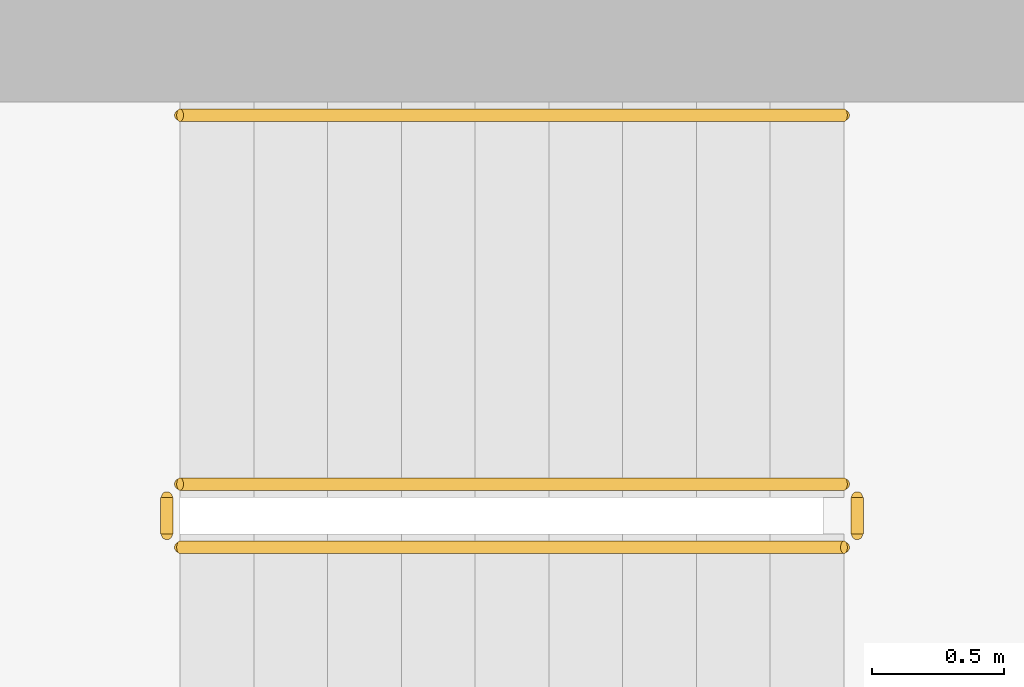
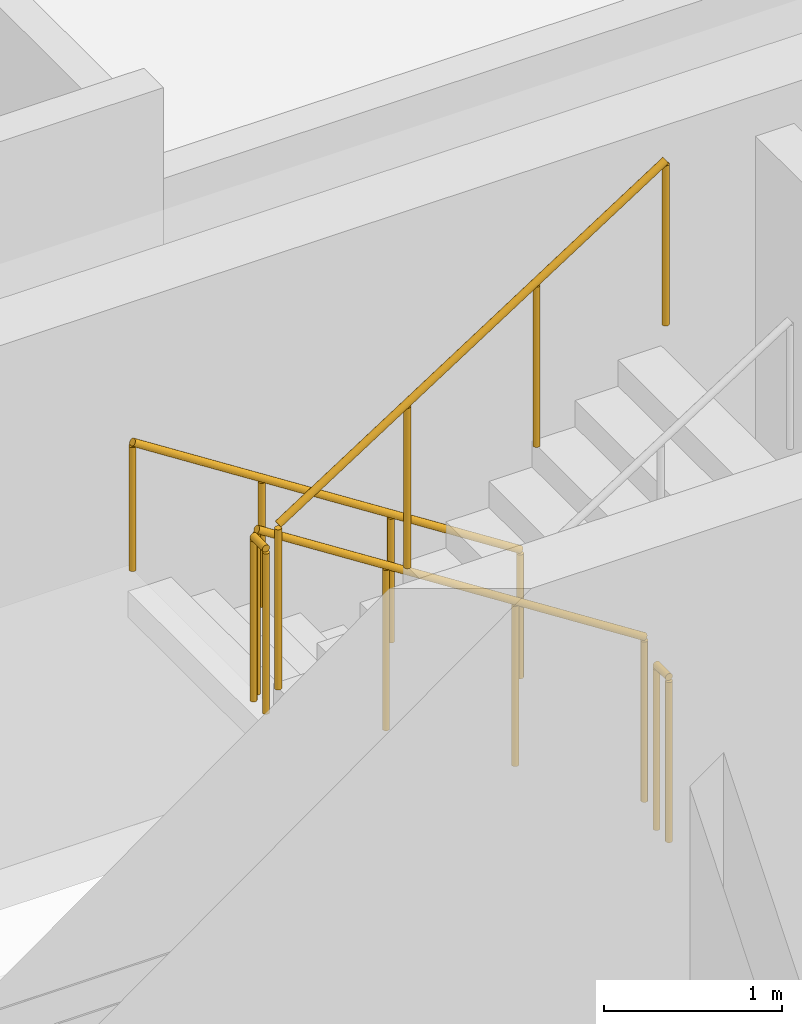
# One storey, part 13 of 14: 5 railings.
"""IFC4 building model written with IfcOpenShell, lengths in metres."""

from ifc_helpers import new_model, si_unit, derived_unit, direction, frame, origin, origin_2d, place, context, subcontext, project, spatial, circle, extrude, material, type_object, element, save


model = new_model("IFC4")

# Units and contexts
model_context = context("Model", 3, precision=1e-05, world=origin(), true_north=direction((0.0, 1.0)))
body_context = subcontext(model_context, "Body", "Model", "MODEL_VIEW")
ifc_project = project(units=[si_unit("LENGTHUNIT", "METRE"), si_unit("AREAUNIT", "SQUARE_METRE"), si_unit("VOLUMEUNIT", "CUBIC_METRE"), si_unit("PLANEANGLEUNIT", "RADIAN"), si_unit("MASSUNIT", "GRAM", prefix="KILO"), derived_unit("THERMALTRANSMITTANCEUNIT", [(si_unit("POWERUNIT", "WATT"), 1), (si_unit("LENGTHUNIT", "METRE"), -2), (si_unit("THERMODYNAMICTEMPERATUREUNIT", "KELVIN"), -1)])], contexts=[model_context])

# Site, building, storey
site_placement = place(None, origin())
site = spatial("IfcSite", under=ifc_project, at=site_placement, CompositionType="ELEMENT")
building_placement = place(site_placement, origin())
building = spatial("IfcBuilding", under=site, at=building_placement, Name="Kivonza Crest Hotel", CompositionType="ELEMENT")
storey_placement = place(building_placement, frame((0.0, 0.0, 206.300048828125)))
storey = spatial("IfcBuildingStorey", under=building, at=storey_placement, Name="L56", CompositionType="ELEMENT", Elevation=206.300048828125)

# Railings
ifc_material_1 = material(Name="Brushed stainless steel handrail", Category="steel")
railing_type_1 = type_object("IfcRailingType", Name="RL-HAND-900", PredefinedType="HANDRAIL", material=ifc_material_1)
railing_1_placement = place(storey_placement, frame((12.239990234375, 36.110107421875, 0.179931640625)))
element("IfcRailing", 1, at=railing_1_placement, inside=storey, type_object=railing_type_1, Name="L56 ST-T1-N stair handrail 1", PredefinedType="HANDRAIL", context=body_context, shape_type="SweptSolid", body=[
    extrude(circle(Radius=0.02392578125, at=origin_2d()), frame((0.0, 0.0, 0.8759765625), z_axis=(-0.841162588446, 0.0, 0.540782303519), x_axis=(0.0, -1.0, 0.0)), (0.0, 0.0, 1.0), 2.995849609375),
    extrude(circle(Radius=0.02099609375, at=origin_2d()), origin(), (0.0, 0.0, 1.0), 0.851806640625),
    extrude(circle(Radius=0.02099609375, at=origin_2d()), frame((-0.840087890625, 0.0, 0.5400390625)), (0.0, 0.0, 1.0), 0.851806640625),
    extrude(circle(Radius=0.02099609375, at=origin_2d()), frame((-1.679931640625, 0.0, 1.080078125)), (0.0, 0.0, 1.0), 0.851806640625),
    extrude(circle(Radius=0.02099609375, at=origin_2d()), frame((-2.52001953125, 0.0, 1.6201171875)), (0.0, 0.0, 1.0), 0.851806640625),
])
ifc_material_2 = material(Name="Painted steel balustrade", Category="steel")
railing_type_2 = type_object("IfcRailingType", Name="RL-STAIR-1150", PredefinedType="BALUSTRADE", material=ifc_material_2)
railing_2_placement = place(storey_placement, frame((12.239990234375, 34.7099609375, 0.179931640625)))
element("IfcRailing", 2, at=railing_2_placement, inside=storey, type_object=railing_type_2, Name="L56 ST-T1-N stair guard 1", PredefinedType="BALUSTRADE", context=body_context, shape_type="SweptSolid", body=[
    extrude(circle(Radius=0.02392578125, at=origin_2d()), frame((0.0, 0.0, 1.1259765625), z_axis=(-0.841162588446, 0.0, 0.540782303519), x_axis=(0.0, -1.0, 0.0)), (0.0, 0.0, 1.0), 2.995849609375),
    extrude(circle(Radius=0.02099609375, at=origin_2d()), origin(), (0.0, 0.0, 1.0), 1.101806640625),
    extrude(circle(Radius=0.02099609375, at=origin_2d()), frame((-0.840087890625, 0.0, 0.5400390625)), (0.0, 0.0, 1.0), 1.101806640625),
    extrude(circle(Radius=0.02099609375, at=origin_2d()), frame((-1.679931640625, 0.0, 1.080078125)), (0.0, 0.0, 1.0), 1.101806640625),
    extrude(circle(Radius=0.02099609375, at=origin_2d()), frame((-2.52001953125, 0.0, 1.6201171875)), (0.0, 0.0, 1.0), 1.101806640625),
])
railing_3_placement = place(storey_placement, frame((9.669921875, 34.659912109375, 1.800048828125)))
element("IfcRailing", 3, at=railing_3_placement, inside=storey, type_object=railing_type_2, Name="L56 ST-T1-N stair guard 2", PredefinedType="BALUSTRADE", context=body_context, shape_type="SweptSolid", body=[
    extrude(circle(Radius=0.02392578125, at=origin_2d()), frame((0.0, 0.0, 1.1259765625), z_axis=(0.0, -1.0, 0.0), x_axis=(1.0, 0.0, 0.0)), (0.0, 0.0, 1.0), 0.139892578125),
    extrude(circle(Radius=0.02099609375, at=origin_2d()), origin(), (0.0, 0.0, 1.0), 1.101806640625),
    extrude(circle(Radius=0.02099609375, at=origin_2d()), frame((0.0, -0.139892578125, 0.0)), (0.0, 0.0, 1.0), 1.101806640625),
])
railing_4_placement = place(storey_placement, frame((9.719970703125, 34.469970703125, 1.97998046875)))
element("IfcRailing", 4, at=railing_4_placement, inside=storey, type_object=railing_type_2, Name="L56 ST-T1-N stair guard 3", PredefinedType="BALUSTRADE", context=body_context, shape_type="SweptSolid", body=[
    extrude(circle(Radius=0.02392578125, at=origin_2d()), frame((0.0, 0.0, 1.1259765625), z_axis=(0.841199657755, 0.0, 0.540724639528), x_axis=(0.0, 1.0, 0.0)), (0.0, 0.0, 1.0), 2.995849609375),
    extrude(circle(Radius=0.02099609375, at=origin_2d()), origin(), (0.0, 0.0, 1.0), 1.101806640625),
    extrude(circle(Radius=0.02099609375, at=origin_2d()), frame((0.840087890625, 0.0, 0.5400390625)), (0.0, 0.0, 1.0), 1.101806640625),
    extrude(circle(Radius=0.02099609375, at=origin_2d()), frame((1.679931640625, 0.0, 1.079833984375)), (0.0, 0.0, 1.0), 1.101806640625),
    extrude(circle(Radius=0.02099609375, at=origin_2d()), frame((2.52001953125, 0.0, 1.619873046875)), (0.0, 0.0, 1.0), 1.101806640625),
])
railing_5_placement = place(storey_placement, frame((12.2900390625, 34.659912109375, 0.0)))
element("IfcRailing", 5, at=railing_5_placement, inside=storey, type_object=railing_type_2, Name="L56 ST-T1-N stair guard 4", PredefinedType="BALUSTRADE", context=body_context, shape_type="SweptSolid", body=[
    extrude(circle(Radius=0.02392578125, at=origin_2d()), frame((0.0, 0.0, 1.1259765625), z_axis=(0.0, -1.0, 0.0), x_axis=(1.0, 0.0, 0.0)), (0.0, 0.0, 1.0), 0.139892578125),
    extrude(circle(Radius=0.02099609375, at=origin_2d()), origin(), (0.0, 0.0, 1.0), 1.101806640625),
    extrude(circle(Radius=0.02099609375, at=origin_2d()), frame((0.0, -0.139892578125, 0.0)), (0.0, 0.0, 1.0), 1.101806640625),
])

save(model, "model.ifc")
